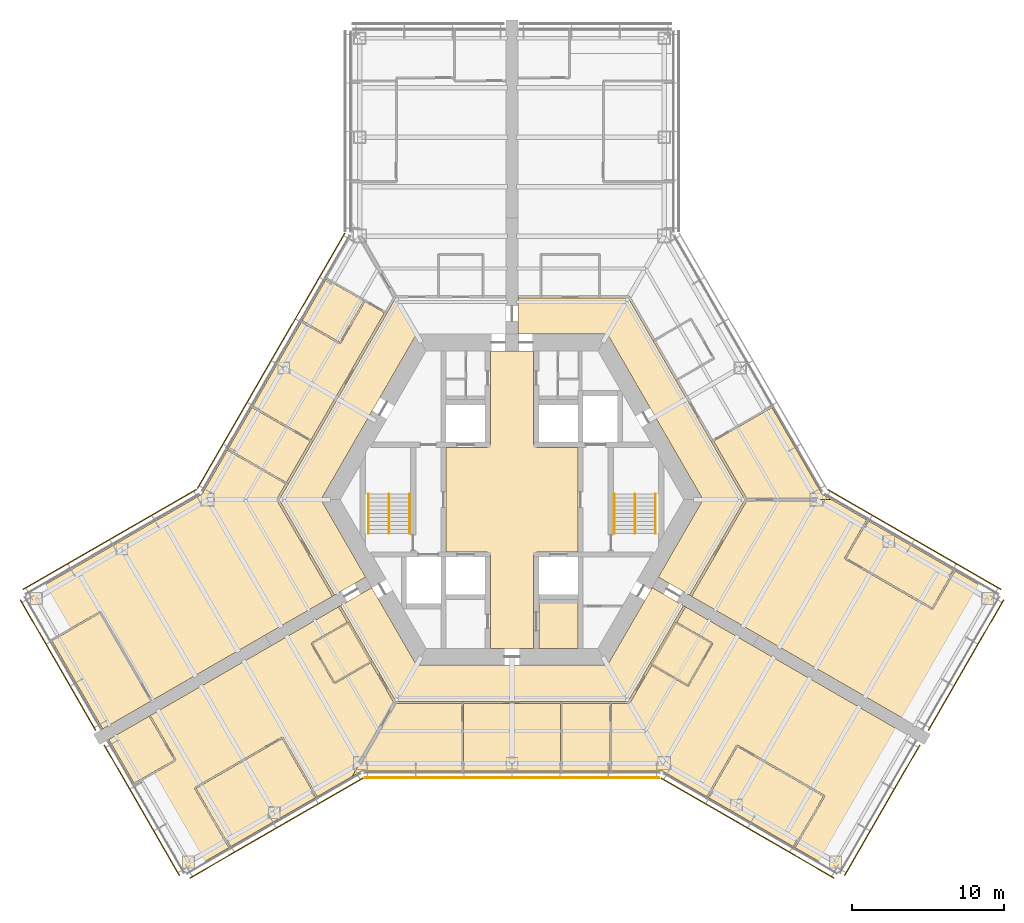
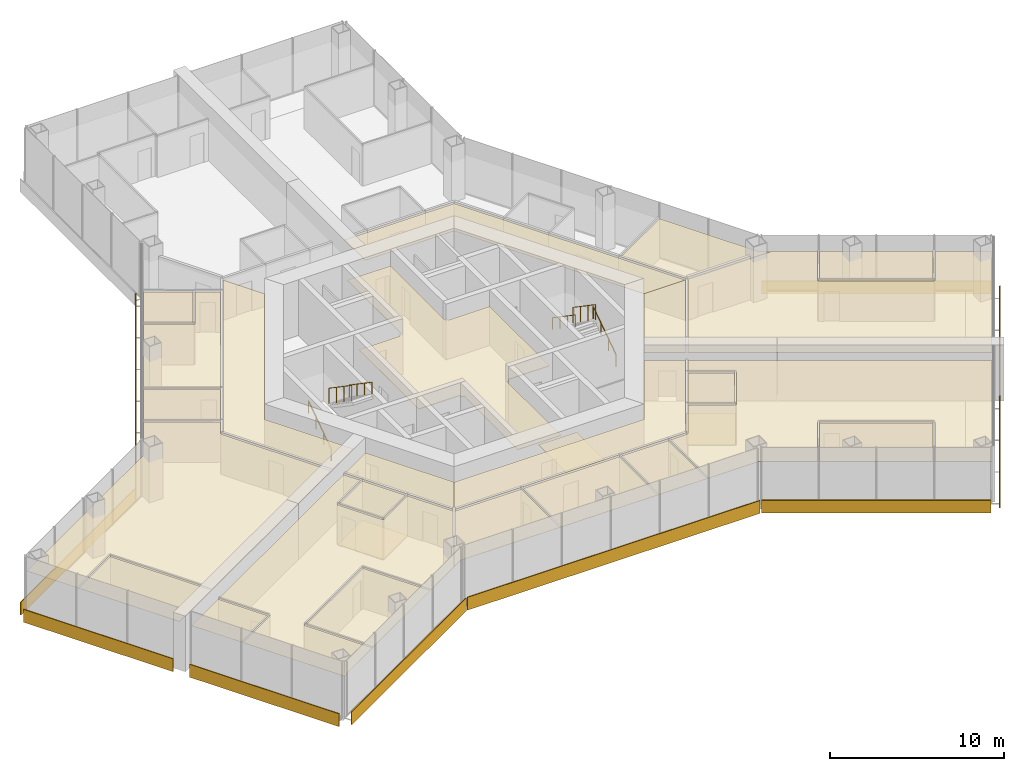
# One storey, part 18 of 19: 27 coverings, 10 shading devices, 6 railings.
"""IFC4 building model written with IfcOpenShell, lengths in metres."""

from ifc_helpers import new_model, si_unit, direction, frame, origin, origin_2d, place, context, subcontext, project, spatial, polyline, rectangle, circle, outline, extrude, material, layer, layer_set, type_object, element, save


model = new_model("IFC4")

# Units and contexts
model_context = context("Model", 3, precision=1e-05, world=origin(), true_north=direction((0.0, 1.0)))
body_context = subcontext(model_context, "Body", "Model", "MODEL_VIEW")
ifc_project = project(units=[si_unit("LENGTHUNIT", "METRE"), si_unit("AREAUNIT", "SQUARE_METRE"), si_unit("VOLUMEUNIT", "CUBIC_METRE"), si_unit("PLANEANGLEUNIT", "RADIAN"), si_unit("MASSUNIT", "GRAM", prefix="KILO")], contexts=[model_context])

# Site, building, storey
site_placement = place(None, origin())
site = spatial("IfcSite", under=ifc_project, at=site_placement, CompositionType="ELEMENT")
building_placement = place(site_placement, origin())
building = spatial("IfcBuilding", under=site, at=building_placement, Name="Kasaneha Research Tower", CompositionType="ELEMENT")
storey_placement = place(building_placement, frame((0.0, 0.0, 84.60009765625)))
storey = spatial("IfcBuildingStorey", under=building, at=storey_placement, Name="L21", CompositionType="ELEMENT", Elevation=84.60009765625)

# Covering
ifc_material_1 = material(Name="Aluminium panel ceiling", Category="aluminium")
ifc_layer_1 = layer(ifc_material_1, 0.0400390625)
ifc_layer_set_1 = layer_set([ifc_layer_1], Name="Lift lobby ceiling 40")
covering_type_1 = type_object("IfcCoveringType", Name="Lift lobby ceiling 40", PredefinedType="CEILING", material=ifc_layer_set_1)
covering_1_placement = place(storey_placement, frame((0.0, 0.0, 2.699951171875)))
element("IfcCovering", 1, at=covering_1_placement, inside=storey, type_object=covering_type_1, Name="Ceiling L21-01", PredefinedType="CEILING", context=body_context, shape_type="SweptSolid", body=[
    extrude(outline(polyline([(1.425048828125, 9.77490234375), (1.425048828125, 3.60009765625), (1.60009765625, 3.60009765625), (1.60009765625, 3.425048828125), (4.324951171875, 3.425048828125), (4.324951171875, -3.425048828125), (1.60009765625, -3.425048828125), (1.60009765625, -3.60009765625), (1.425048828125, -3.60009765625), (1.425048828125, -9.77490234375), (-1.425048828125, -9.77490234375), (-1.425048828125, -3.60009765625), (-1.60009765625, -3.60009765625), (-1.60009765625, -3.425048828125), (-4.324951171875, -3.425048828125), (-4.324951171875, 3.425048828125), (-1.60009765625, 3.425048828125), (-1.60009765625, 3.60009765625), (-1.425048828125, 3.60009765625), (-1.425048828125, 9.77490234375), (1.425048828125, 9.77490234375)])), origin(), (0.0, 0.0, 1.0), 0.0400390625),
])

# Railings
ifc_material_2 = material(Name="Steel", Category="steel")
railing_type_1 = type_object("IfcRailingType", Name="Stair balustrade 1100", PredefinedType="GUARDRAIL", material=ifc_material_2)
for number, where, name in (
    (2, (8.074951171875, 0.375, 2.127197265625), "Stair 1 balustrade L21"),
    (3, (-8.074951171875, 0.375, 2.127197265625), "Stair 2 balustrade L21"),
):
    element("IfcRailing", number, at=place(storey_placement, frame(where)), inside=storey, type_object=railing_type_1, Name=name, PredefinedType="GUARDRAIL", context=body_context, shape_type="SweptSolid", body=[
        extrude(circle(Radius=0.02392578125, at=origin_2d()), frame((0.0, 0.0, 1.076171875), z_axis=(0.0, -0.826240473404, 0.563317565952), x_axis=(1.0, 0.0, 0.0)), (0.0, 0.0, 1.0), 3.14697265625),
        extrude(circle(Radius=0.02099609375, at=origin_2d()), origin(), (0.0, 0.0, 1.0), 1.052001953125),
        extrude(circle(Radius=0.02099609375, at=origin_2d()), frame((0.0, -0.86669921875, 0.5908203125)), (0.0, 0.0, 1.0), 1.052001953125),
        extrude(circle(Radius=0.02099609375, at=origin_2d()), frame((0.0, -1.7333984375, 1.181884765625)), (0.0, 0.0, 1.0), 1.052001953125),
        extrude(circle(Radius=0.02099609375, at=origin_2d()), frame((0.0, -2.60009765625, 1.772705078125)), (0.0, 0.0, 1.0), 1.052001953125),
    ])
ifc_material_3 = material(Name="Steel", Category="steel")
railing_type_2 = type_object("IfcRailingType", Name="Stair handrail 850", PredefinedType="HANDRAIL", material=ifc_material_3)
railing_1_placement = place(storey_placement, frame((9.425048828125, -2.22509765625, 0.17724609375)))
element("IfcRailing", 4, at=railing_1_placement, inside=storey, type_object=railing_type_2, Name="Stair 1 handrail L21", PredefinedType="HANDRAIL", context=body_context, shape_type="SweptSolid", body=[
    extrude(circle(Radius=0.02392578125, at=origin_2d()), frame((0.0, 0.0, 0.826171875), z_axis=(0.0, 0.826240473404, 0.563317565952), x_axis=(-1.0, 0.0, 0.0)), (0.0, 0.0, 1.0), 3.14697265625),
    extrude(circle(Radius=0.02099609375, at=origin_2d()), origin(), (0.0, 0.0, 1.0), 0.802001953125),
    extrude(circle(Radius=0.02099609375, at=origin_2d()), frame((0.0, 0.86669921875, 0.5908203125)), (0.0, 0.0, 1.0), 0.802001953125),
    extrude(circle(Radius=0.02099609375, at=origin_2d()), frame((0.0, 1.7333984375, 1.181884765625)), (0.0, 0.0, 1.0), 0.802001953125),
    extrude(circle(Radius=0.02099609375, at=origin_2d()), frame((0.0, 2.60009765625, 1.772705078125)), (0.0, 0.0, 1.0), 0.802001953125),
])
railing_2_placement = place(storey_placement, frame((6.72509765625, 0.375, 2.127197265625)))
element("IfcRailing", 5, at=railing_2_placement, inside=storey, type_object=railing_type_2, Name="Stair 1 handrail L21", PredefinedType="HANDRAIL", context=body_context, shape_type="SweptSolid", body=[
    extrude(circle(Radius=0.02392578125, at=origin_2d()), frame((0.0, 0.0, 0.826171875), z_axis=(0.0, -0.826240473404, 0.563317565952), x_axis=(1.0, 0.0, 0.0)), (0.0, 0.0, 1.0), 3.14697265625),
    extrude(circle(Radius=0.02099609375, at=origin_2d()), origin(), (0.0, 0.0, 1.0), 0.802001953125),
    extrude(circle(Radius=0.02099609375, at=origin_2d()), frame((0.0, -0.86669921875, 0.5908203125)), (0.0, 0.0, 1.0), 0.802001953125),
    extrude(circle(Radius=0.02099609375, at=origin_2d()), frame((0.0, -1.7333984375, 1.181884765625)), (0.0, 0.0, 1.0), 0.802001953125),
    extrude(circle(Radius=0.02099609375, at=origin_2d()), frame((0.0, -2.60009765625, 1.772705078125)), (0.0, 0.0, 1.0), 0.802001953125),
])
railing_3_placement = place(storey_placement, frame((-9.425048828125, -2.22509765625, 0.17724609375)))
element("IfcRailing", 6, at=railing_3_placement, inside=storey, type_object=railing_type_2, Name="Stair 2 handrail L21", PredefinedType="HANDRAIL", context=body_context, shape_type="SweptSolid", body=[
    extrude(circle(Radius=0.02392578125, at=origin_2d()), frame((0.0, 0.0, 0.826171875), z_axis=(0.0, 0.826240473404, 0.563317565952), x_axis=(-1.0, 0.0, 0.0)), (0.0, 0.0, 1.0), 3.14697265625),
    extrude(circle(Radius=0.02099609375, at=origin_2d()), origin(), (0.0, 0.0, 1.0), 0.802001953125),
    extrude(circle(Radius=0.02099609375, at=origin_2d()), frame((0.0, 0.86669921875, 0.5908203125)), (0.0, 0.0, 1.0), 0.802001953125),
    extrude(circle(Radius=0.02099609375, at=origin_2d()), frame((0.0, 1.7333984375, 1.181884765625)), (0.0, 0.0, 1.0), 0.802001953125),
    extrude(circle(Radius=0.02099609375, at=origin_2d()), frame((0.0, 2.60009765625, 1.772705078125)), (0.0, 0.0, 1.0), 0.802001953125),
])
railing_4_placement = place(storey_placement, frame((-6.72509765625, 0.375, 2.127197265625)))
element("IfcRailing", 7, at=railing_4_placement, inside=storey, type_object=railing_type_2, Name="Stair 2 handrail L21", PredefinedType="HANDRAIL", context=body_context, shape_type="SweptSolid", body=[
    extrude(circle(Radius=0.02392578125, at=origin_2d()), frame((0.0, 0.0, 0.826171875), z_axis=(0.0, -0.826240473404, 0.563317565952), x_axis=(1.0, 0.0, 0.0)), (0.0, 0.0, 1.0), 3.14697265625),
    extrude(circle(Radius=0.02099609375, at=origin_2d()), origin(), (0.0, 0.0, 1.0), 0.802001953125),
    extrude(circle(Radius=0.02099609375, at=origin_2d()), frame((0.0, -0.86669921875, 0.5908203125)), (0.0, 0.0, 1.0), 0.802001953125),
    extrude(circle(Radius=0.02099609375, at=origin_2d()), frame((0.0, -1.7333984375, 1.181884765625)), (0.0, 0.0, 1.0), 0.802001953125),
    extrude(circle(Radius=0.02099609375, at=origin_2d()), frame((0.0, -2.60009765625, 1.772705078125)), (0.0, 0.0, 1.0), 0.802001953125),
])

# Coverings
ifc_material_4 = material(Name="Gypsum ceiling board", Category="gypsum")
ifc_layer_2 = layer(ifc_material_4, 0.02001953125)
ifc_layer_set_2 = layer_set([ifc_layer_2], Name="Suspended ceiling 20")
covering_type_2 = type_object("IfcCoveringType", Name="Suspended ceiling 20", PredefinedType="CEILING", material=ifc_layer_set_2)
covering_2_placement = place(storey_placement, frame((0.0, 0.0, 2.7998046875)))
element("IfcCovering", 8, at=covering_2_placement, inside=storey, type_object=covering_type_2, Name="Ceiling L21-27", PredefinedType="CEILING", context=body_context, shape_type="SweptSolid", body=[
    extrude(outline(polyline([(6.278564453125, 10.875), (0.39990234375, 10.875), (0.39990234375, 11.72509765625), (0.39990234375, 12.72509765625), (0.39990234375, 13.324951171875), (0.419921875, 13.324951171875), (0.419921875, 13.25), (1.89501953125, 13.25), (1.904541015625, 13.25), (5.75244140625, 13.25), (5.761962890625, 13.25), (7.64990234375, 13.25), (9.277099609375, 10.431640625), (9.277099609375, 10.431640625), (10.77734375, 7.8330078125), (10.77734375, 7.8330078125), (13.100341796875, 3.809814453125), (13.100341796875, 3.809814453125), (15.2998046875, 0.0), (15.2998046875, 0.0), (12.557373046875, 0.0), (6.278564453125, 10.875)])), origin(), (0.0, 0.0, 1.0), 0.02001953125),
])
covering_3_placement = place(storey_placement, frame((0.0, 0.0, 2.7998046875)))
element("IfcCovering", 9, at=covering_3_placement, inside=storey, type_object=covering_type_2, Name="Ceiling L21-30", PredefinedType="CEILING", context=body_context, shape_type="SweptSolid", body=[
    extrude(outline(polyline([(21.000244140625, -0.00048828125), (15.38671875, -0.00048828125), (15.374755859375, 0.02001953125), (15.439697265625, 0.0576171875), (13.255126953125, 3.841552734375), (17.081298828125, 6.055419921875), (20.366455078125, 0.366455078125), (21.000244140625, -0.00048828125)])), origin(), (0.0, 0.0, 1.0), 0.02001953125),
])
covering_4_placement = place(storey_placement, frame((0.0, 0.0, 2.7998046875)))
element("IfcCovering", 10, at=covering_4_placement, inside=storey, type_object=covering_type_2, Name="Ceiling L21-40", PredefinedType="CEILING", context=body_context, shape_type="SweptSolid", body=[
    extrude(outline(polyline([(-12.557373046875, 0.0), (-9.617919921875, -5.091064453125), (-11.59326171875, -6.2314453125), (-11.73974609375, -6.316162109375), (-11.749755859375, -6.298828125), (-11.684814453125, -6.26123046875), (-15.2998046875, 0.0), (-14.723876953125, 0.997802734375), (-14.7236328125, 0.997802734375), (-13.100341796875, 3.809814453125), (-13.100341796875, 3.809814453125), (-8.22607421875, 12.251708984375), (-8.226318359375, 12.251708984375), (-7.64990234375, 13.25), (-6.278564453125, 10.875), (-12.557373046875, 0.0)])), origin(), (0.0, 0.0, 1.0), 0.02001953125),
])
covering_5_placement = place(storey_placement, frame((0.0, 0.0, 2.7998046875)))
element("IfcCovering", 11, at=covering_5_placement, inside=storey, type_object=covering_type_2, Name="Ceiling L21-41", PredefinedType="CEILING", context=body_context, shape_type="SweptSolid", body=[
    extrude(outline(polyline([(-12.211669921875, 14.489990234375), (-9.749755859375, 13.06298828125), (-11.316650390625, 10.340087890625), (-13.767578125, 11.7548828125), (-13.79248046875, 11.711669921875), (-13.809814453125, 11.7216796875), (-12.211669921875, 14.489990234375)])), origin(), (0.0, 0.0, 1.0), 0.02001953125),
])
covering_6_placement = place(storey_placement, frame((0.0, 0.0, 2.7998046875)))
element("IfcCovering", 12, at=covering_6_placement, inside=storey, type_object=covering_type_2, Name="Ceiling L21-42", PredefinedType="CEILING", context=body_context, shape_type="SweptSolid", body=[
    extrude(outline(polyline([(-30.258056640625, -9.232666015625), (-30.23291015625, -9.27587890625), (-27.072021484375, -7.450927734375), (-23.740234375, -13.221435546875), (-23.697021484375, -13.196533203125), (-23.68701171875, -13.2138671875), (-26.891357421875, -15.063720703125), (-30.258056640625, -9.232666015625), (-30.258056640625, -9.232666015625)])), origin(), (0.0, 0.0, 1.0), 0.02001953125),
])
covering_7_placement = place(storey_placement, frame((0.0, 0.0, 2.7998046875)))
element("IfcCovering", 13, at=covering_7_placement, inside=storey, type_object=covering_type_2, Name="Ceiling L21-43", PredefinedType="CEILING", context=body_context, shape_type="SweptSolid", body=[
    extrude(outline(polyline([(-18.679443359375, 3.287353515625), (-17.081298828125, 6.055419921875), (-13.255126953125, 3.841552734375), (-14.823974609375, 1.1240234375), (-18.63720703125, 3.320556640625), (-18.662109375, 3.27734375), (-18.679443359375, 3.287353515625)])), origin(), (0.0, 0.0, 1.0), 0.02001953125),
])
covering_8_placement = place(storey_placement, frame((0.0, 0.0, 2.7998046875)))
element("IfcCovering", 14, at=covering_8_placement, inside=storey, type_object=covering_type_2, Name="Ceiling L21-45", PredefinedType="CEILING", context=body_context, shape_type="SweptSolid", body=[
    extrude(outline(polyline([(-27.0537109375, -7.38232421875), (-27.07861328125, -7.33935546875), (-30.282958984375, -9.189208984375), (-30.25830078125, -9.232177734375), (-30.25830078125, -9.232177734375), (-31.94140625, -6.31689453125), (-20.365966796875, 0.365966796875), (-18.6796875, 3.286865234375), (-18.662353515625, 3.27685546875), (-18.68701171875, 3.23388671875), (-14.8740234375, 1.03759765625), (-15.451416015625, 0.03759765625), (-15.38671875, 0.000244140625), (-15.38671875, -0.000244140625), (-15.38671875, -0.000244140625), (-15.451416015625, -0.03759765625), (-11.814697265625, -6.336181640625), (-11.750244140625, -6.299072265625), (-11.740234375, -6.31640625), (-18.40380859375, -10.16357421875), (-23.6865234375, -13.213623046875), (-23.696533203125, -13.1962890625), (-23.65380859375, -13.17138671875), (-27.010498046875, -7.357666015625), (-27.05322265625, -7.38232421875), (-27.053466796875, -7.38232421875), (-27.0537109375, -7.38232421875)])), origin(), (0.0, 0.0, 1.0), 0.02001953125),
])
covering_9_placement = place(storey_placement, frame((0.0, 0.0, 2.7998046875)))
element("IfcCovering", 15, at=covering_9_placement, inside=storey, type_object=covering_type_2, Name="Ceiling L21-46", PredefinedType="CEILING", context=body_context, shape_type="SweptSolid", body=[
    extrude(outline(polyline([(-11.298095703125, 10.271484375), (-11.2548828125, 10.246826171875), (-9.66064453125, 13.01708984375), (-8.381103515625, 12.283203125), (-13.205078125, 3.927978515625), (-17.03125, 6.14208984375), (-17.055908203125, 6.09912109375), (-17.055908203125, 6.09912109375), (-13.81005859375, 11.72119140625), (-13.792724609375, 11.711181640625), (-13.8173828125, 11.66845703125), (-11.3232421875, 10.228515625), (-11.298583984375, 10.271240234375), (-11.29833984375, 10.271240234375), (-11.298095703125, 10.271484375)])), origin(), (0.0, 0.0, 1.0), 0.02001953125),
])
covering_10_placement = place(storey_placement, frame((0.0, 0.0, 2.7998046875)))
element("IfcCovering", 16, at=covering_10_placement, inside=storey, type_object=covering_type_2, Name="Ceiling L21-47", PredefinedType="CEILING", context=body_context, shape_type="SweptSolid", body=[
    extrude(outline(polyline([(-7.64990234375, -13.25), (-9.177001953125, -10.604736328125), (-9.177001953125, -10.604736328125), (-10.67724609375, -8.00634765625), (-10.677490234375, -8.00634765625), (-11.264892578125, -6.98876953125), (-11.329833984375, -7.026123046875), (-11.33984375, -7.0087890625), (-9.218017578125, -5.783935546875), (-6.278564453125, -10.875), (-7.64990234375, -13.25)])), origin(), (0.0, 0.0, 1.0), 0.02001953125),
])
covering_11_placement = place(storey_placement, frame((0.0, 0.0, 2.7998046875)))
element("IfcCovering", 17, at=covering_11_placement, inside=storey, type_object=covering_type_2, Name="Ceiling L21-48", PredefinedType="CEILING", context=body_context, shape_type="SweptSolid", body=[
    extrude(outline(polyline([(-18.574951171875, -22.8486328125), (-18.5849609375, -22.831298828125), (-18.541748046875, -22.806396484375), (-20.756591796875, -18.9697265625), (-15.110595703125, -15.7099609375), (-12.885498046875, -19.563720703125), (-12.84228515625, -19.538818359375), (-12.84228515625, -19.538818359375), (-18.574951171875, -22.8486328125)])), origin(), (0.0, 0.0, 1.0), 0.02001953125),
])
covering_12_placement = place(storey_placement, frame((0.0, 0.0, 2.7998046875)))
element("IfcCovering", 18, at=covering_12_placement, inside=storey, type_object=covering_type_2, Name="Ceiling L21-49", PredefinedType="CEILING", context=body_context, shape_type="SweptSolid", body=[
    extrude(outline(polyline([(-9.33203125, -10.63671875), (-11.646484375, -11.977783203125), (-13.096435546875, -9.466552734375), (-10.777587890625, -8.132568359375), (-9.33203125, -10.63671875)])), origin(), (0.0, 0.0, 1.0), 0.02001953125),
])
covering_13_placement = place(storey_placement, frame((0.0, 0.0, 2.7998046875)))
element("IfcCovering", 19, at=covering_13_placement, inside=storey, type_object=covering_type_2, Name="Ceiling L21-50", PredefinedType="CEILING", context=body_context, shape_type="SweptSolid", body=[
    extrude(outline(polyline([(-23.806640625, -14.20654296875), (-23.796630859375, -14.223876953125), (-23.840087890625, -14.2490234375), (-22.191650390625, -17.10400390625), (-24.8330078125, -18.62890625), (-24.80810546875, -18.67236328125), (-24.80810546875, -18.67236328125), (-26.491455078125, -15.756591796875), (-23.806640625, -14.20654296875)])), origin(), (0.0, 0.0, 1.0), 0.02001953125),
])
covering_14_placement = place(storey_placement, frame((0.0, 0.0, 2.7998046875)))
element("IfcCovering", 20, at=covering_14_placement, inside=storey, type_object=covering_type_2, Name="Ceiling L21-51", PredefinedType="CEILING", context=body_context, shape_type="SweptSolid", body=[
    extrude(outline(polyline([(-13.1650390625, -9.447998046875), (-13.1650390625, -9.4482421875), (-13.2080078125, -9.47314453125), (-11.7080078125, -12.0712890625), (-11.6650390625, -12.04638671875), (-11.6650390625, -12.04638671875), (-11.664794921875, -12.046142578125), (-11.6396484375, -12.08935546875), (-9.281982421875, -10.72314453125), (-7.76953125, -13.342529296875), (-7.705078125, -13.30517578125), (-7.693359375, -13.325439453125), (-10.5, -18.1865234375), (-12.841796875, -19.53857421875), (-12.841796875, -19.53857421875), (-12.798828125, -19.513916015625), (-15.048828125, -15.61669921875), (-15.092041015625, -15.6416015625), (-15.09228515625, -15.64111328125), (-15.092529296875, -15.641357421875), (-15.1171875, -15.598388671875), (-20.85009765625, -18.908203125), (-20.824951171875, -18.951416015625), (-20.868408203125, -18.9765625), (-18.62841796875, -22.856201171875), (-18.58544921875, -22.83154296875), (-18.575439453125, -22.848876953125), (-21.44140625, -24.50341796875), (-24.782958984375, -18.715576171875), (-22.098388671875, -17.16552734375), (-22.123046875, -17.12255859375), (-22.122802734375, -17.122314453125), (-22.123046875, -17.1220703125), (-22.080078125, -17.097412109375), (-23.75341796875, -14.198974609375), (-23.796142578125, -14.2236328125), (-23.80615234375, -14.206298828125), (-11.34033203125, -7.00927734375), (-11.330322265625, -7.0263671875), (-11.394775390625, -7.063720703125), (-10.82763671875, -8.046142578125), (-13.189697265625, -9.40478515625), (-13.164794921875, -9.447998046875), (-13.1650390625, -9.447998046875)])), origin(), (0.0, 0.0, 1.0), 0.02001953125),
])
covering_15_placement = place(storey_placement, frame((0.0, 0.0, 2.7998046875)))
element("IfcCovering", 21, at=covering_15_placement, inside=storey, type_object=covering_type_2, Name="Ceiling L21-52", PredefinedType="CEILING", context=body_context, shape_type="SweptSolid", body=[
    extrude(outline(polyline([(9.617919921875, -5.091064453125), (12.557373046875, 0.0), (15.2998046875, 0.0), (11.684814453125, -6.26123046875), (11.749755859375, -6.298828125), (11.73974609375, -6.316162109375), (11.59326171875, -6.2314453125), (9.617919921875, -5.091064453125)])), origin(), (0.0, 0.0, 1.0), 0.02001953125),
])
covering_16_placement = place(storey_placement, frame((0.0, 0.0, 2.7998046875)))
element("IfcCovering", 22, at=covering_16_placement, inside=storey, type_object=covering_type_2, Name="Ceiling L21-53", PredefinedType="CEILING", context=body_context, shape_type="SweptSolid", body=[
    extrude(outline(polyline([(29.03173828125, -4.63720703125), (27.606689453125, -7.105224609375), (21.96044921875, -3.845458984375), (23.37548828125, -1.39453125), (23.332275390625, -1.36962890625), (23.34228515625, -1.352294921875), (29.03173828125, -4.63720703125)])), origin(), (0.0, 0.0, 1.0), 0.02001953125),
])
covering_17_placement = place(storey_placement, frame((0.0, 0.0, 2.7998046875)))
element("IfcCovering", 23, at=covering_17_placement, inside=storey, type_object=covering_type_2, Name="Ceiling L21-54", PredefinedType="CEILING", context=body_context, shape_type="SweptSolid", body=[
    extrude(outline(polyline([(21.0, 0.0), (23.341796875, -1.35205078125), (23.331787109375, -1.369384765625), (23.288818359375, -1.344482421875), (21.848876953125, -3.8388671875), (21.89208984375, -3.86376953125), (21.891845703125, -3.8642578125), (21.89208984375, -3.8642578125), (21.8671875, -3.906982421875), (27.60009765625, -7.216796875), (27.624755859375, -7.174072265625), (27.624755859375, -7.174072265625), (27.625, -7.173583984375), (27.668212890625, -7.198486328125), (29.118408203125, -4.68701171875), (31.94140625, -6.31689453125), (26.891357421875, -15.063720703125), (20.037841796875, -11.10693359375), (11.740234375, -6.31640625), (11.750244140625, -6.299072265625), (11.814697265625, -6.336181640625), (15.439697265625, -0.0576171875), (15.375244140625, -0.020263671875), (15.386962890625, 0.0), (21.0, 0.0)])), origin(), (0.0, 0.0, 1.0), 0.02001953125),
])
covering_18_placement = place(storey_placement, frame((0.0, 0.0, 2.7998046875)))
element("IfcCovering", 24, at=covering_18_placement, inside=storey, type_object=covering_type_2, Name="Ceiling L21-55", PredefinedType="CEILING", context=body_context, shape_type="SweptSolid", body=[
    extrude(outline(polyline([(-6.278564453125, -10.875), (6.278564453125, -10.875), (9.218017578125, -5.783935546875), (11.33984375, -7.0087890625), (11.329833984375, -7.026123046875), (11.264892578125, -6.98876953125), (10.677490234375, -8.00634765625), (10.67724609375, -8.00634765625), (9.0771484375, -10.778076171875), (9.0771484375, -10.778076171875), (7.64990234375, -13.25), (6.497802734375, -13.25), (6.48828125, -13.25), (3.2509765625, -13.25), (3.241455078125, -13.25), (-3.241455078125, -13.25), (-3.2509765625, -13.25), (-7.64990234375, -13.25), (-7.64990234375, -13.25), (-6.278564453125, -10.875)])), origin(), (0.0, 0.0, 1.0), 0.02001953125),
])
covering_19_placement = place(storey_placement, frame((0.0, 0.0, 2.7998046875)))
element("IfcCovering", 25, at=covering_19_placement, inside=storey, type_object=covering_type_2, Name="Ceiling L21-56", PredefinedType="CEILING", context=body_context, shape_type="SweptSolid", body=[
    extrude(outline(polyline([(9.23193359375, -10.809814453125), (10.777587890625, -8.132568359375), (13.096435546875, -9.466552734375), (11.54638671875, -12.151123046875), (9.23193359375, -10.809814453125)])), origin(), (0.0, 0.0, 1.0), 0.02001953125),
])
covering_20_placement = place(storey_placement, frame((0.0, 0.0, 2.7998046875)))
element("IfcCovering", 26, at=covering_20_placement, inside=storey, type_object=covering_type_2, Name="Ceiling L21-57", PredefinedType="CEILING", context=body_context, shape_type="SweptSolid", body=[
    extrude(outline(polyline([(-10.50048828125, -18.1865234375), (-7.693603515625, -13.324951171875), (-7.670166015625, -13.324951171875), (-7.670166015625, -13.39990234375), (-3.30078125, -13.39990234375), (-3.29638671875, -17.800537109375), (-3.246337890625, -17.800537109375), (-3.246337890625, -17.820556640625), (-9.865966796875, -17.821044921875), (-10.50048828125, -18.1865234375)])), origin(), (0.0, 0.0, 1.0), 0.02001953125),
])
covering_21_placement = place(storey_placement, frame((0.0, 0.0, 2.7998046875)))
element("IfcCovering", 27, at=covering_21_placement, inside=storey, type_object=covering_type_2, Name="Ceiling L21-58", PredefinedType="CEILING", context=body_context, shape_type="SweptSolid", body=[
    extrude(outline(polyline([(3.246337890625, -17.800537109375), (3.29638671875, -17.800537109375), (3.30078125, -13.39990234375), (6.4384765625, -13.39990234375), (6.44287109375, -17.800537109375), (6.492919921875, -17.800537109375), (6.492919921875, -17.820556640625), (3.246337890625, -17.820556640625), (3.246337890625, -17.800537109375)])), origin(), (0.0, 0.0, 1.0), 0.02001953125),
])
covering_22_placement = place(storey_placement, frame((0.0, 0.0, 2.7998046875)))
element("IfcCovering", 28, at=covering_22_placement, inside=storey, type_object=covering_type_2, Name="Ceiling L21-59", PredefinedType="CEILING", context=body_context, shape_type="SweptSolid", body=[
    extrude(outline(polyline([(12.84228515625, -19.538818359375), (12.84228515625, -19.538818359375), (12.885498046875, -19.563720703125), (14.810546875, -16.2294921875), (20.456787109375, -19.489501953125), (18.541748046875, -22.806396484375), (18.5849609375, -22.831298828125), (18.574951171875, -22.8486328125), (12.84228515625, -19.538818359375)])), origin(), (0.0, 0.0, 1.0), 0.02001953125),
])
covering_23_placement = place(storey_placement, frame((0.0, 0.0, 2.7998046875)))
element("IfcCovering", 29, at=covering_23_placement, inside=storey, type_object=covering_type_2, Name="Ceiling L21-60", PredefinedType="CEILING", context=body_context, shape_type="SweptSolid", body=[
    extrude(outline(polyline([(7.693603515625, -13.325439453125), (7.693603515625, -13.3251953125), (7.758056640625, -13.362548828125), (9.181884765625, -10.896484375), (11.53955078125, -12.2626953125), (11.564453125, -12.2197265625), (11.56494140625, -12.219970703125), (11.56494140625, -12.2197265625), (11.60791015625, -12.244384765625), (13.2080078125, -9.47314453125), (13.164794921875, -9.447998046875), (13.189697265625, -9.40478515625), (10.82763671875, -8.046142578125), (11.394775390625, -7.063720703125), (11.330322265625, -7.0263671875), (11.34033203125, -7.00927734375), (26.491455078125, -15.756591796875), (21.44140625, -24.50341796875), (18.575439453125, -22.848876953125), (18.58544921875, -22.83154296875), (18.62841796875, -22.856201171875), (20.568359375, -19.49609375), (20.525146484375, -19.47119140625), (20.525390625, -19.470703125), (20.525146484375, -19.470703125), (20.550048828125, -19.427734375), (14.817138671875, -16.117919921875), (14.79248046875, -16.160888671875), (14.79248046875, -16.160888671875), (14.792236328125, -16.161376953125), (14.748779296875, -16.13623046875), (12.798828125, -19.513916015625), (12.841796875, -19.53857421875), (12.841796875, -19.53857421875), (9.865966796875, -17.820556640625), (6.493408203125, -17.820556640625), (6.493408203125, -17.800537109375), (6.542724609375, -17.800537109375), (6.538330078125, -13.39990234375), (7.693115234375, -13.39990234375), (7.693115234375, -13.325439453125), (7.693603515625, -13.325439453125)])), origin(), (0.0, 0.0, 1.0), 0.02001953125),
])
covering_24_placement = place(storey_placement, frame((0.0, 0.0, 2.7998046875)))
element("IfcCovering", 30, at=covering_24_placement, inside=storey, type_object=covering_type_2, Name="Ceiling L21-61", PredefinedType="CEILING", context=body_context, shape_type="SweptSolid", body=[
    extrude(outline(polyline([(3.245849609375, -17.820556640625), (-3.245849609375, -17.820556640625), (-3.245849609375, -17.800537109375), (-3.1962890625, -17.800537109375), (-3.200927734375, -13.39990234375), (3.200927734375, -13.39990234375), (3.1962890625, -17.800537109375), (3.245849609375, -17.800537109375), (3.245849609375, -17.820556640625)])), origin(), (0.0, 0.0, 1.0), 0.02001953125),
])

# Shading devices
ifc_material_5 = material(Name="Terracotta", Category="masonry")
ifc_layer_3 = layer(ifc_material_5, 0.06005859375)
ifc_layer_set_3 = layer_set([ifc_layer_3], Name="Terracotta baguette screen")
shading_device_type = type_object("IfcShadingDeviceType", Name="Terracotta baguette screen", PredefinedType="USERDEFINED", material=ifc_layer_set_3)
shading_device_1_placement = place(storey_placement, frame((-15.483642578125, -21.58349609375, -0.449951171875), z_axis=(0.0, 0.0, 1.0), x_axis=(0.866025411464, 0.499999986699, 0.0)))
element("IfcShadingDevice", 31, at=shading_device_1_placement, inside=storey, type_object=shading_device_type, Name="Baguette screen L21 01", ObjectType="TERRACOTTA BAGUETTE SCREEN", PredefinedType="USERDEFINED", context=body_context, shape_type="SweptSolid", body=[
    extrude(rectangle(XDim=13.13916015625, YDim=0.06005859375, at=origin_2d()), origin(), (0.0, 0.0, 1.0), 0.89990234375),
])
shading_device_2_placement = place(storey_placement, frame((0.0, -18.2705078125, -0.449951171875), z_axis=(0.0, 0.0, 1.0), x_axis=(1.0, 0.0, 0.0)))
element("IfcShadingDevice", 32, at=shading_device_2_placement, inside=storey, type_object=shading_device_type, Name="Baguette screen L21 02", ObjectType="TERRACOTTA BAGUETTE SCREEN", PredefinedType="USERDEFINED", context=body_context, shape_type="SweptSolid", body=[
    extrude(rectangle(XDim=19.37841796875, YDim=0.06005859375, at=origin_2d()), origin(), (0.0, 0.0, 1.0), 0.89990234375),
])
shading_device_3_placement = place(storey_placement, frame((15.483642578125, -21.58349609375, -0.449951171875), z_axis=(0.0, 0.0, 1.0), x_axis=(0.866025411464, -0.499999986699, 0.0)))
element("IfcShadingDevice", 33, at=shading_device_3_placement, inside=storey, type_object=shading_device_type, Name="Baguette screen L21 03", ObjectType="TERRACOTTA BAGUETTE SCREEN", PredefinedType="USERDEFINED", context=body_context, shape_type="SweptSolid", body=[
    extrude(rectangle(XDim=13.13916015625, YDim=0.06005859375, at=origin_2d()), origin(), (0.0, 0.0, 1.0), 0.89990234375),
])
for number, where, z_axis, x_axis, name in (
    (34, (24.3310546875, -20.3984375, -0.449951171875), (0.0, 0.0, 1.0), (0.500000011442, 0.866025397178, 0.0), "Baguette screen L21 04"),
    (35, (29.8310546875, -10.8720703125, -0.449951171875), (0.0, 0.0, 1.0), (0.500000011442, 0.866025397178, 0.0), "Baguette screen L21 05"),
):
    element("IfcShadingDevice", number, at=place(storey_placement, frame(where, z_axis=z_axis, x_axis=x_axis)), inside=storey, type_object=shading_device_type, Name=name, ObjectType="TERRACOTTA BAGUETTE SCREEN", PredefinedType="USERDEFINED", context=body_context, shape_type="SweptSolid", body=[
        extrude(rectangle(XDim=9.89990234375, YDim=0.06005859375, at=origin_2d()), origin(), (0.0, 0.0, 1.0), 0.89990234375),
    ])
shading_device_4_placement = place(storey_placement, frame((26.43359375, -2.617431640625, -0.449951171875), z_axis=(0.0, 0.0, 1.0), x_axis=(-0.866025411464, 0.499999986699, 0.0)))
element("IfcShadingDevice", 36, at=shading_device_4_placement, inside=storey, type_object=shading_device_type, Name="Baguette screen L21 06", ObjectType="TERRACOTTA BAGUETTE SCREEN", PredefinedType="USERDEFINED", context=body_context, shape_type="SweptSolid", body=[
    extrude(rectangle(XDim=13.13916015625, YDim=0.06005859375, at=origin_2d()), origin(), (0.0, 0.0, 1.0), 0.89990234375),
])
shading_device_5_placement = place(storey_placement, frame((-15.82275390625, 9.13525390625, -0.449951171875), z_axis=(0.0, 0.0, 1.0), x_axis=(-0.49999996188, -0.866025425793, 0.0)))
element("IfcShadingDevice", 37, at=shading_device_5_placement, inside=storey, type_object=shading_device_type, Name="Baguette screen L21 12", ObjectType="TERRACOTTA BAGUETTE SCREEN", PredefinedType="USERDEFINED", context=body_context, shape_type="SweptSolid", body=[
    extrude(rectangle(XDim=19.37841796875, YDim=0.06005859375, at=origin_2d()), origin(), (0.0, 0.0, 1.0), 0.89990234375),
])
shading_device_6_placement = place(storey_placement, frame((-26.43359375, -2.617431640625, -0.449951171875), z_axis=(0.0, 0.0, 1.0), x_axis=(-0.866025411464, -0.499999986699, 0.0)))
element("IfcShadingDevice", 38, at=shading_device_6_placement, inside=storey, type_object=shading_device_type, Name="Baguette screen L21 13", ObjectType="TERRACOTTA BAGUETTE SCREEN", PredefinedType="USERDEFINED", context=body_context, shape_type="SweptSolid", body=[
    extrude(rectangle(XDim=13.13916015625, YDim=0.06005859375, at=origin_2d()), origin(), (0.0, 0.0, 1.0), 0.89990234375),
])
for number, where, z_axis, x_axis, name in (
    (39, (-29.8310546875, -10.8720703125, -0.449951171875), (0.0, 0.0, 1.0), (0.500000011442, -0.866025397178, 0.0), "Baguette screen L21 14"),
    (40, (-24.3310546875, -20.3984375, -0.449951171875), (0.0, 0.0, 1.0), (0.500000011442, -0.866025397178, 0.0), "Baguette screen L21 15"),
):
    element("IfcShadingDevice", number, at=place(storey_placement, frame(where, z_axis=z_axis, x_axis=x_axis)), inside=storey, type_object=shading_device_type, Name=name, ObjectType="TERRACOTTA BAGUETTE SCREEN", PredefinedType="USERDEFINED", context=body_context, shape_type="SweptSolid", body=[
        extrude(rectangle(XDim=9.89990234375, YDim=0.06005859375, at=origin_2d()), origin(), (0.0, 0.0, 1.0), 0.89990234375),
    ])

# Coverings
ifc_material_6 = material(Name="Vinyl sheet flooring", Category="plastic")
ifc_layer_4 = layer(ifc_material_6, 0.0048828125)
ifc_layer_set_4 = layer_set([ifc_layer_4], Name="Wet room sheet flooring 5")
covering_type_3 = type_object("IfcCoveringType", Name="Wet room sheet flooring 5", PredefinedType="FLOORING", material=ifc_layer_set_4)
covering_25_placement = place(storey_placement, origin())
element("IfcCovering", 41, at=covering_25_placement, inside=storey, type_object=covering_type_3, Name="Floor finish L21-13", PredefinedType="FLOORING", context=body_context, shape_type="SweptSolid", body=[
    extrude(outline(polyline([(1.77490234375, -9.77490234375), (1.77490234375, -6.574951171875), (4.324951171875, -6.574951171875), (4.324951171875, -9.77490234375), (1.77490234375, -9.77490234375)])), origin(), (0.0, 0.0, 1.0), 0.0048828125),
])
covering_26_placement = place(storey_placement, origin())
element("IfcCovering", 42, at=covering_26_placement, inside=storey, type_object=covering_type_3, Name="Floor finish L21-49", PredefinedType="FLOORING", context=body_context, shape_type="SweptSolid", body=[
    extrude(outline(polyline([(-11.66455078125, -12.046142578125), (-13.16455078125, -9.4482421875), (-10.73974609375, -8.048095703125), (-9.23974609375, -10.646240234375), (-11.66455078125, -12.046142578125)])), origin(), (0.0, 0.0, 1.0), 0.0048828125),
])
covering_27_placement = place(storey_placement, origin())
element("IfcCovering", 43, at=covering_27_placement, inside=storey, type_object=covering_type_3, Name="Floor finish L21-56", PredefinedType="FLOORING", context=body_context, shape_type="SweptSolid", body=[
    extrude(outline(polyline([(13.16455078125, -9.4482421875), (11.564697265625, -12.219482421875), (9.139892578125, -10.8193359375), (10.73974609375, -8.048095703125), (13.16455078125, -9.4482421875)])), origin(), (0.0, 0.0, 1.0), 0.0048828125),
])

save(model, "model.ifc")
